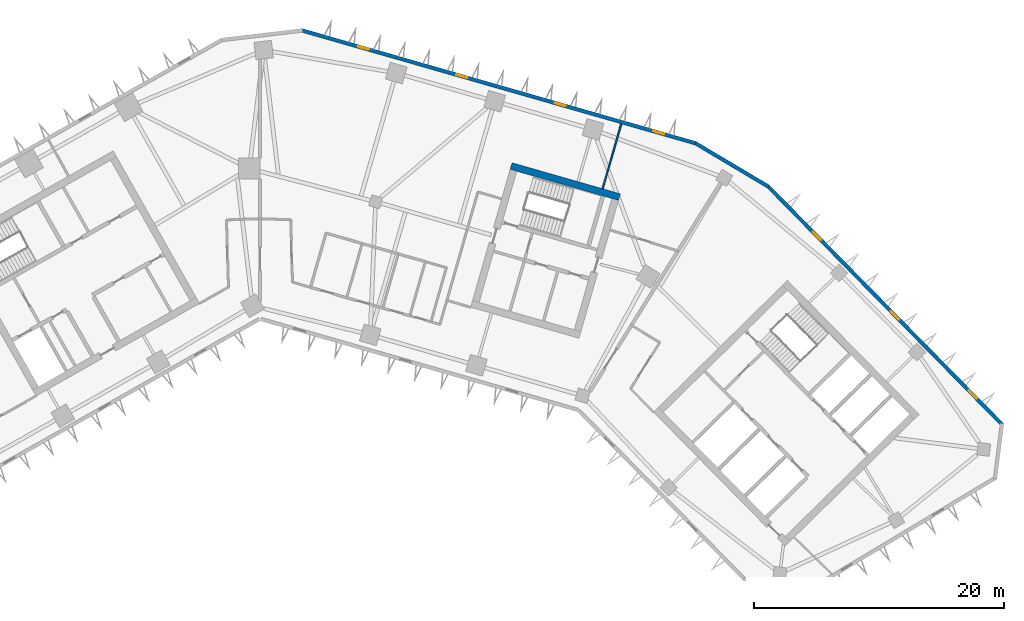
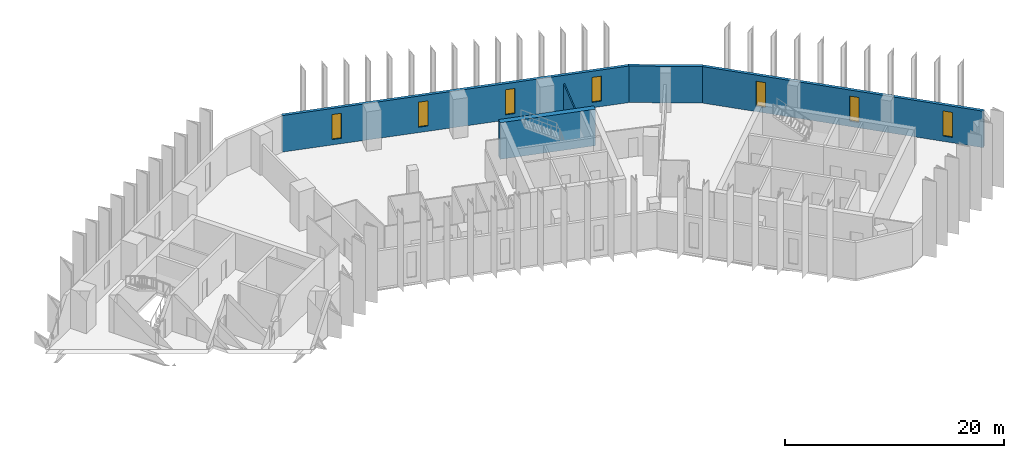
# One storey, part 7 of 11: 7 windows, 5 walls, 7 openings.
"""IFC4 building model written with IfcOpenShell, lengths in metres."""

from ifc_helpers import new_model, si_unit, direction, frame, frame_2d, origin, place, context, subcontext, project, spatial, rectangle, extrude, material, layer, layer_set, type_object, element, fill, save


model = new_model("IFC4")

# Units and contexts
model_context = context("Model", 3, precision=1e-05, world=origin(), true_north=direction((0.0, 1.0)))
body_context = subcontext(model_context, "Body", "Model", "MODEL_VIEW")
ifc_project = project(units=[si_unit("LENGTHUNIT", "METRE"), si_unit("AREAUNIT", "SQUARE_METRE"), si_unit("VOLUMEUNIT", "CUBIC_METRE"), si_unit("PLANEANGLEUNIT", "RADIAN"), si_unit("MASSUNIT", "GRAM", prefix="KILO")], contexts=[model_context])

# Site, building, storey
site_placement = place(None, origin())
site = spatial("IfcSite", under=ifc_project, at=site_placement, CompositionType="ELEMENT")
building_placement = place(site_placement, origin())
building = spatial("IfcBuilding", under=site, at=building_placement, Name="Binnacle Exchange Tower", CompositionType="ELEMENT")
storey_placement = place(building_placement, frame((0.0, 0.0, 132.300048828125)))
storey = spatial("IfcBuildingStorey", under=building, at=storey_placement, Name="L27", CompositionType="ELEMENT", Elevation=132.300048828125)

# Walls
ifc_material_1 = material(Name="Concrete C70/85", Category="concrete")
ifc_layer_1 = layer(ifc_material_1, 0.550048828125)
ifc_layer_set_1 = layer_set([ifc_layer_1], Name="Core wall - outer 550")
wall_type_1 = type_object("IfcWallType", Name="Core wall - outer 550", PredefinedType="SOLIDWALL", material=ifc_layer_set_1)
wall_1_placement = place(storey_placement, frame((20.059814453125, 60.20361328125, 0.0), z_axis=(0.0, 0.0, 1.0), x_axis=(0.96126248289, -0.275634611374, 0.0)))
element("IfcWall", 1, at=wall_1_placement, inside=storey, type_object=wall_type_1, Name="Core wall CRWD6", PredefinedType="SOLIDWALL", context=body_context, shape_type="SweptSolid", body=[
    extrude(rectangle(XDim=9.0, YDim=0.550048828125, at=frame_2d((4.5, 0.0))), origin(), (0.0, 0.0, 1.0), 4.079833984375),
])
ifc_material_2 = material(Name="Bronze aluminium cladding", Category="aluminium")
ifc_layer_2 = layer(ifc_material_2, 0.300048828125)
ifc_layer_set_2 = layer_set([ifc_layer_2], Name="External wall - spandrel 300")
wall_type_2 = type_object("IfcWallType", Name="External wall - spandrel 300", PredefinedType="STANDARD", material=ifc_layer_set_2)
wall_2_placement = place(storey_placement, frame((34.773193359375, 62.0341796875, 0.0), z_axis=(0.0, 0.0, 1.0), x_axis=(0.859401317772, -0.511301647769, 0.0)))
element("IfcWall", 2, at=wall_2_placement, inside=storey, type_object=wall_type_2, Name="External wall EW-F00 L27", PredefinedType="STANDARD", context=body_context, shape_type="SweptSolid", body=[
    extrude(rectangle(XDim=6.80810546875, YDim=0.300048828125, at=frame_2d((3.404052734375, 0.0))), origin(), (0.0, 0.0, 1.0), 4.079833984375),
])

# Wall, openings, windows
wall_3_placement = place(storey_placement, frame((3.33544921875, 71.043701171875, 0.0), z_axis=(0.0, 0.0, 1.0), x_axis=(0.961260130989, -0.275642813387, 0.0)))
wall_3 = element("IfcWall", 3, at=wall_3_placement, inside=storey, type_object=wall_type_2, Name="External wall EW-F01 L27", PredefinedType="STANDARD", context=body_context, shape_type="SweptSolid", body=[
    extrude(rectangle(XDim=32.7412109375, YDim=0.300048828125, at=frame_2d((16.37060546875, 0.0))), origin(), (0.0, 0.0, 1.0), 4.079833984375),
])
opening_1_placement = place(wall_3_placement, frame((29.20703125, 0.0, 0.60009765625)))
opening_1 = element("IfcOpeningElement", 4, at=opening_1_placement, cuts=wall_3, Name="Opening WS2", PredefinedType="OPENING", context=body_context, shape_type="SweptSolid", body=[
    extrude(rectangle(XDim=0.89990234375, YDim=2.800048828125, at=frame_2d((0.449951171875, 1.39990234375))), frame((0.0, 0.159912109375, 0.0), z_axis=(0.0, -1.0, 0.0), x_axis=(1.0, 0.0, 0.0)), (0.0, 0.0, 1.0), 0.320068359375),
])
opening_2_placement = place(wall_3_placement, frame((21.0341796875, 0.0, 0.60009765625)))
opening_2 = element("IfcOpeningElement", 5, at=opening_2_placement, cuts=wall_3, Name="Opening WS2", PredefinedType="OPENING", context=body_context, shape_type="SweptSolid", body=[
    extrude(rectangle(XDim=0.89990234375, YDim=2.800048828125, at=frame_2d((0.449951171875, 1.39990234375))), frame((0.0, 0.159912109375, 0.0), z_axis=(0.0, -1.0, 0.0), x_axis=(1.0, 0.0, 0.0)), (0.0, 0.0, 1.0), 0.320068359375),
])
opening_3_placement = place(wall_3_placement, frame((12.861083984375, 0.0, 0.60009765625)))
opening_3 = element("IfcOpeningElement", 6, at=opening_3_placement, cuts=wall_3, Name="Opening WS2", PredefinedType="OPENING", context=body_context, shape_type="SweptSolid", body=[
    extrude(rectangle(XDim=0.89990234375, YDim=2.800048828125, at=frame_2d((0.449951171875, 1.39990234375))), frame((0.0, 0.159912109375, 0.0), z_axis=(0.0, -1.0, 0.0), x_axis=(1.0, 0.0, 0.0)), (0.0, 0.0, 1.0), 0.320068359375),
])
opening_4_placement = place(wall_3_placement, frame((4.688232421875, 0.0, 0.60009765625)))
opening_4 = element("IfcOpeningElement", 7, at=opening_4_placement, cuts=wall_3, Name="Opening WS2", PredefinedType="OPENING", context=body_context, shape_type="SweptSolid", body=[
    extrude(rectangle(XDim=0.89990234375, YDim=2.800048828125, at=frame_2d((0.449951171875, 1.39990234375))), frame((0.0, 0.159912109375, 0.0), z_axis=(0.0, -1.0, 0.0), x_axis=(1.0, 0.0, 0.0)), (0.0, 0.0, 1.0), 0.320068359375),
])
ifc_material_3 = material(Name="Bronze anodised aluminium frame", Category="aluminium")
window_type = type_object("IfcWindowType", Name="WS2 WINDOW 900x2800", PartitioningType="SINGLE_PANEL", PredefinedType="WINDOW", material=ifc_material_3)
window_1_placement = place(opening_1_placement, origin())
window_1 = element("IfcWindow", 8, at=window_1_placement, inside=storey, type_object=window_type, Name="Window WS2 L27", OverallHeight=2.800048828125, OverallWidth=0.89990234375, PartitioningType="SINGLE_PANEL", PredefinedType="WINDOW", context=body_context, shape_type="SweptSolid", body=[
    extrude(rectangle(XDim=0.89990234375, YDim=2.800048828125, at=frame_2d((0.449951171875, 1.39990234375))), frame((0.0, 0.030029296875, 0.0), z_axis=(0.0, -1.0, 0.0), x_axis=(1.0, 0.0, 0.0)), (0.0, 0.0, 1.0), 0.06005859375),
])
fill(opening_1, window_1)
window_2_placement = place(opening_2_placement, origin())
window_2 = element("IfcWindow", 9, at=window_2_placement, inside=storey, type_object=window_type, Name="Window WS2 L27", OverallHeight=2.800048828125, OverallWidth=0.89990234375, PartitioningType="SINGLE_PANEL", PredefinedType="WINDOW", context=body_context, shape_type="SweptSolid", body=[
    extrude(rectangle(XDim=0.89990234375, YDim=2.800048828125, at=frame_2d((0.449951171875, 1.39990234375))), frame((0.0, 0.030029296875, 0.0), z_axis=(0.0, -1.0, 0.0), x_axis=(1.0, 0.0, 0.0)), (0.0, 0.0, 1.0), 0.06005859375),
])
fill(opening_2, window_2)
window_3_placement = place(opening_3_placement, origin())
window_3 = element("IfcWindow", 10, at=window_3_placement, inside=storey, type_object=window_type, Name="Window WS2 L27", OverallHeight=2.800048828125, OverallWidth=0.89990234375, PartitioningType="SINGLE_PANEL", PredefinedType="WINDOW", context=body_context, shape_type="SweptSolid", body=[
    extrude(rectangle(XDim=0.89990234375, YDim=2.800048828125, at=frame_2d((0.449951171875, 1.39990234375))), frame((0.0, 0.030029296875, 0.0), z_axis=(0.0, -1.0, 0.0), x_axis=(1.0, 0.0, 0.0)), (0.0, 0.0, 1.0), 0.06005859375),
])
fill(opening_3, window_3)
window_4_placement = place(opening_4_placement, origin())
window_4 = element("IfcWindow", 11, at=window_4_placement, inside=storey, type_object=window_type, Name="Window WS2 L27", OverallHeight=2.800048828125, OverallWidth=0.89990234375, PartitioningType="SINGLE_PANEL", PredefinedType="WINDOW", context=body_context, shape_type="SweptSolid", body=[
    extrude(rectangle(XDim=0.89990234375, YDim=2.800048828125, at=frame_2d((0.449951171875, 1.39990234375))), frame((0.0, 0.030029296875, 0.0), z_axis=(0.0, -1.0, 0.0), x_axis=(1.0, 0.0, 0.0)), (0.0, 0.0, 1.0), 0.06005859375),
])
fill(opening_4, window_4)

wall_4_placement = place(storey_placement, frame((40.59375, 58.576904296875, 0.0), z_axis=(0.0, 0.0, 1.0), x_axis=(0.700909719808, -0.713250001528, 0.0)))
wall_4 = element("IfcWall", 12, at=wall_4_placement, inside=storey, type_object=wall_type_2, Name="External wall EW-F13 L27", PredefinedType="STANDARD", context=body_context, shape_type="SweptSolid", body=[
    extrude(rectangle(XDim=26.70849609375, YDim=0.300048828125, at=frame_2d((13.354248046875, 0.0))), origin(), (0.0, 0.0, 1.0), 4.079833984375),
])
opening_5_placement = place(wall_4_placement, frame((22.8583984375, 0.0, 0.60009765625)))
opening_5 = element("IfcOpeningElement", 13, at=opening_5_placement, cuts=wall_4, Name="Opening WS2", PredefinedType="OPENING", context=body_context, shape_type="SweptSolid", body=[
    extrude(rectangle(XDim=0.89990234375, YDim=2.800048828125, at=frame_2d((0.449951171875, 1.39990234375))), frame((0.0, 0.159912109375, 0.0), z_axis=(0.0, -1.0, 0.0), x_axis=(1.0, 0.0, 0.0)), (0.0, 0.0, 1.0), 0.320068359375),
])
opening_6_placement = place(wall_4_placement, frame((13.986572265625, 0.0, 0.60009765625)))
opening_6 = element("IfcOpeningElement", 14, at=opening_6_placement, cuts=wall_4, Name="Opening WS2", PredefinedType="OPENING", context=body_context, shape_type="SweptSolid", body=[
    extrude(rectangle(XDim=0.89990234375, YDim=2.800048828125, at=frame_2d((0.449951171875, 1.39990234375))), frame((0.0, 0.159912109375, 0.0), z_axis=(0.0, -1.0, 0.0), x_axis=(1.0, 0.0, 0.0)), (0.0, 0.0, 1.0), 0.320068359375),
])
opening_7_placement = place(wall_4_placement, frame((5.114501953125, 0.0, 0.60009765625)))
opening_7 = element("IfcOpeningElement", 15, at=opening_7_placement, cuts=wall_4, Name="Opening WS2", PredefinedType="OPENING", context=body_context, shape_type="SweptSolid", body=[
    extrude(rectangle(XDim=0.89990234375, YDim=2.800048828125, at=frame_2d((0.449951171875, 1.39990234375))), frame((0.0, 0.159912109375, 0.0), z_axis=(0.0, -1.0, 0.0), x_axis=(1.0, 0.0, 0.0)), (0.0, 0.0, 1.0), 0.320068359375),
])
window_5_placement = place(opening_5_placement, origin())
window_5 = element("IfcWindow", 16, at=window_5_placement, inside=storey, type_object=window_type, Name="Window WS2 L27", OverallHeight=2.800048828125, OverallWidth=0.89990234375, PartitioningType="SINGLE_PANEL", PredefinedType="WINDOW", context=body_context, shape_type="SweptSolid", body=[
    extrude(rectangle(XDim=0.89990234375, YDim=2.800048828125, at=frame_2d((0.449951171875, 1.39990234375))), frame((0.0, 0.030029296875, 0.0), z_axis=(0.0, -1.0, 0.0), x_axis=(1.0, 0.0, 0.0)), (0.0, 0.0, 1.0), 0.06005859375),
])
fill(opening_5, window_5)
window_6_placement = place(opening_6_placement, origin())
window_6 = element("IfcWindow", 17, at=window_6_placement, inside=storey, type_object=window_type, Name="Window WS2 L27", OverallHeight=2.800048828125, OverallWidth=0.89990234375, PartitioningType="SINGLE_PANEL", PredefinedType="WINDOW", context=body_context, shape_type="SweptSolid", body=[
    extrude(rectangle(XDim=0.89990234375, YDim=2.800048828125, at=frame_2d((0.449951171875, 1.39990234375))), frame((0.0, 0.030029296875, 0.0), z_axis=(0.0, -1.0, 0.0), x_axis=(1.0, 0.0, 0.0)), (0.0, 0.0, 1.0), 0.06005859375),
])
fill(opening_6, window_6)
window_7_placement = place(opening_7_placement, origin())
window_7 = element("IfcWindow", 18, at=window_7_placement, inside=storey, type_object=window_type, Name="Window WS2 L27", OverallHeight=2.800048828125, OverallWidth=0.89990234375, PartitioningType="SINGLE_PANEL", PredefinedType="WINDOW", context=body_context, shape_type="SweptSolid", body=[
    extrude(rectangle(XDim=0.89990234375, YDim=2.800048828125, at=frame_2d((0.449951171875, 1.39990234375))), frame((0.0, 0.030029296875, 0.0), z_axis=(0.0, -1.0, 0.0), x_axis=(1.0, 0.0, 0.0)), (0.0, 0.0, 1.0), 0.06005859375),
])
fill(opening_7, window_7)

# Wall
ifc_material_4 = material(Name="Gypsum partition")
ifc_layer_3 = layer(ifc_material_4, 0.125)
ifc_layer_set_3 = layer_set([ifc_layer_3], Name="Partition 125")
wall_type_3 = type_object("IfcWallType", Name="Partition 125", PredefinedType="PARTITIONING", material=ifc_layer_set_3)
wall_5_placement = place(storey_placement, frame((27.367919921875, 58.39404296875, 0.0), z_axis=(0.0, 0.0, 1.0), x_axis=(0.276295387056, 0.961072764722, 0.0)))
element("IfcWall", 19, at=wall_5_placement, inside=storey, type_object=wall_type_3, Name="Partition W33", PredefinedType="PARTITIONING", context=body_context, shape_type="SweptSolid", body=[
    extrude(rectangle(XDim=5.3857421875, YDim=0.125, at=frame_2d((2.69287109375, 0.0))), origin(), (0.0, 0.0, 1.0), 3.141845703125),
])

save(model, "model.ifc")
